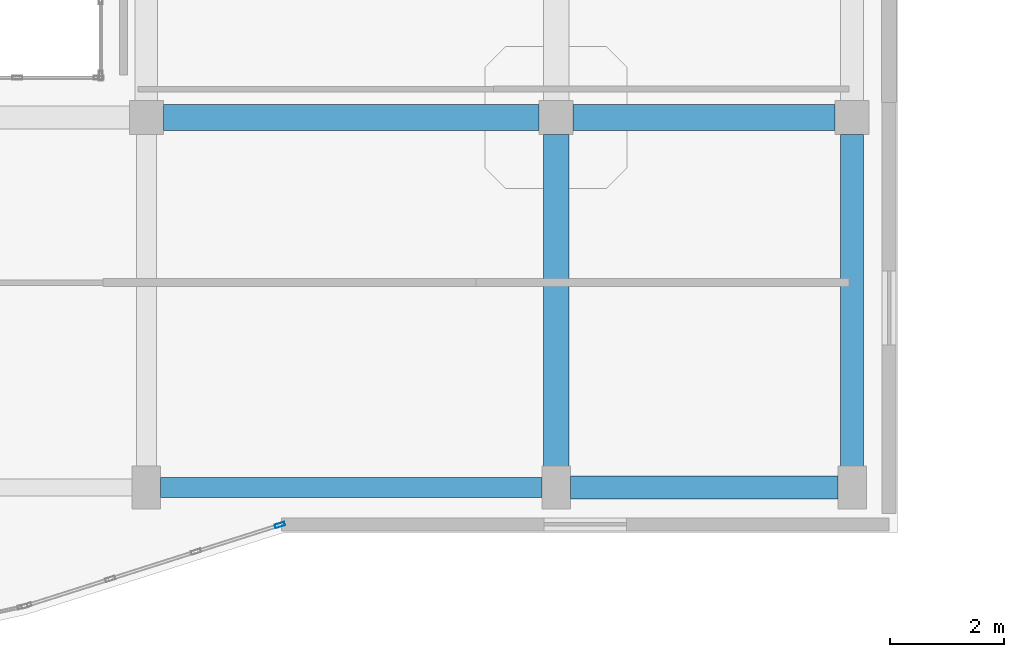
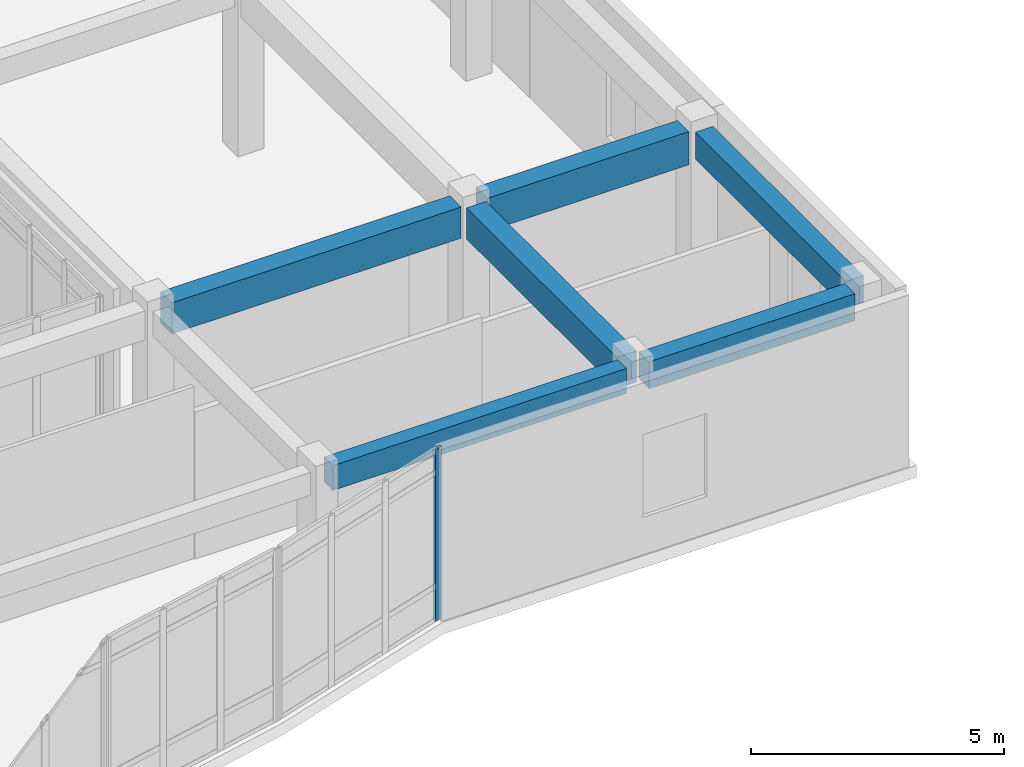
# One storey, part 102 of 142: 6 beams, 1 member, 1 element without a shape of its own.
"""IFC4 building model written with IfcOpenShell, lengths in metres."""

from ifc_helpers import new_model, si_unit, direction, frame, origin, origin_2d, place, context, subcontext, project, spatial, rectangle, hollow_rectangle, extrude, material, layer, layer_set, material_profile, profile_set, type_object, element, aggregate, save


model = new_model("IFC4")

# Units and contexts
model_context = context("Model", 3, precision=1e-05, world=origin(), true_north=direction((0.0, 1.0)))
body_context = subcontext(model_context, "Body", "Model", "MODEL_VIEW")
ifc_project = project(units=[si_unit("LENGTHUNIT", "METRE"), si_unit("AREAUNIT", "SQUARE_METRE"), si_unit("VOLUMEUNIT", "CUBIC_METRE"), si_unit("PLANEANGLEUNIT", "RADIAN"), si_unit("MASSUNIT", "GRAM", prefix="KILO")], contexts=[model_context])

# Site, building, storey
site_placement = place(None, origin())
site = spatial("IfcSite", under=ifc_project, at=site_placement, CompositionType="ELEMENT")
building_placement = place(site_placement, origin())
building = spatial("IfcBuilding", under=site, at=building_placement, Name="Valcora Specialist Clinic", CompositionType="ELEMENT")
storey_placement = place(building_placement, frame((0.0, 0.0, 5.10009765625)))
storey = spatial("IfcBuildingStorey", under=building, at=storey_placement, Name="L01", CompositionType="ELEMENT", Elevation=5.10009765625)

# Beams
ifc_material_1 = material(Name="Concrete C40/50", Category="concrete")
ifc_material_profile_1 = material_profile(ifc_material_1, rectangle(XDim=0.35009765625, YDim=0.60009765625, at=origin_2d()), Name="RC-BM-350X600")
ifc_profile_set_1 = profile_set([ifc_material_profile_1], Name="Concrete C40/50")
beam_type_1 = type_object("IfcBeamType", Name="TY-BM-RC350X600", PredefinedType="BEAM", material=ifc_profile_set_1)
beam_1_placement = place(storey_placement, frame((126.25, 74.800048828125, 3.844970703125), z_axis=(1.0, 0.0, 0.0), x_axis=(0.0, 1.0, 0.0)))
element("IfcBeam", 1, at=beam_1_placement, inside=storey, type_object=beam_type_1, Name="Beam BM-L01-0620", PredefinedType="BEAM", context=body_context, shape_type="SweptSolid", body=[
    extrude(rectangle(XDim=0.35009765625, YDim=0.60009765625, at=origin_2d()), origin(), (0.0, 0.0, 1.0), 6.699951171875),
])
ifc_material_profile_2 = material_profile(ifc_material_1, rectangle(XDim=0.39990234375, YDim=0.64990234375, at=origin_2d()), Name="RC-BM-400X650")
ifc_profile_set_2 = profile_set([ifc_material_profile_2], Name="Concrete C40/50")
beam_type_2 = type_object("IfcBeamType", Name="TY-BM-RC400X650", PredefinedType="BEAM", material=ifc_profile_set_2)
beam_2_placement = place(storey_placement, frame((133.449951171875, 74.800048828125, 3.81982421875), z_axis=(1.0, 0.0, 0.0), x_axis=(0.0, 1.0, 0.0)))
element("IfcBeam", 2, at=beam_2_placement, inside=storey, type_object=beam_type_2, Name="Beam BM-L01-0621", PredefinedType="BEAM", context=body_context, shape_type="SweptSolid", body=[
    extrude(rectangle(XDim=0.39990234375, YDim=0.64990234375, at=origin_2d()), origin(), (0.0, 0.0, 1.0), 4.699951171875),
])
beam_3_placement = place(storey_placement, frame((138.39990234375, 75.050048828125, 3.81982421875), z_axis=(0.0, 1.0, 0.0), x_axis=(-1.0, 0.0, 0.0)))
element("IfcBeam", 3, at=beam_3_placement, inside=storey, type_object=beam_type_2, Name="Beam BM-L01-0691", PredefinedType="BEAM", context=body_context, shape_type="SweptSolid", body=[
    extrude(rectangle(XDim=0.39990234375, YDim=0.64990234375, at=origin_2d()), origin(), (0.0, 0.0, 1.0), 5.949951171875),
])
ifc_material_profile_3 = material_profile(ifc_material_1, rectangle(XDim=0.449951171875, YDim=0.75, at=origin_2d()), Name="RC-BM-450X750")
ifc_profile_set_3 = profile_set([ifc_material_profile_3], Name="Concrete C40/50")
beam_type_3 = type_object("IfcBeamType", Name="TY-BM-RC450X750", PredefinedType="BEAM", material=ifc_profile_set_3)
beam_4_placement = place(storey_placement, frame((126.300048828125, 81.300048828125, 3.77001953125), z_axis=(1.0, 0.0, 0.0), x_axis=(0.0, 1.0, 0.0)))
element("IfcBeam", 4, at=beam_4_placement, inside=storey, type_object=beam_type_3, Name="Beam BM-L01-0629", PredefinedType="BEAM", context=body_context, shape_type="SweptSolid", body=[
    extrude(rectangle(XDim=0.449951171875, YDim=0.75, at=origin_2d()), origin(), (0.0, 0.0, 1.0), 6.599853515625),
])
beam_5_placement = place(storey_placement, frame((133.199951171875, 75.050048828125, 3.77001953125), z_axis=(0.0, 1.0, 0.0), x_axis=(-1.0, 0.0, 0.0)))
element("IfcBeam", 5, at=beam_5_placement, inside=storey, type_object=beam_type_3, Name="Beam BM-L01-0687", PredefinedType="BEAM", context=body_context, shape_type="SweptSolid", body=[
    extrude(rectangle(XDim=0.449951171875, YDim=0.75, at=origin_2d()), origin(), (0.0, 0.0, 1.0), 5.949951171875),
])
ifc_material_profile_4 = material_profile(ifc_material_1, rectangle(XDim=0.449951171875, YDim=0.800048828125, at=origin_2d()), Name="RC-BM-450X800")
ifc_profile_set_4 = profile_set([ifc_material_profile_4], Name="Concrete C40/50")
beam_type_4 = type_object("IfcBeamType", Name="TY-BM-RC450X800", PredefinedType="BEAM", material=ifc_profile_set_4)
beam_6_placement = place(storey_placement, frame((133.5, 81.300048828125, 3.744873046875), z_axis=(1.0, 0.0, 0.0), x_axis=(0.0, 1.0, 0.0)))
element("IfcBeam", 6, at=beam_6_placement, inside=storey, type_object=beam_type_4, Name="Beam BM-L01-0630", PredefinedType="BEAM", context=body_context, shape_type="SweptSolid", body=[
    extrude(rectangle(XDim=0.449951171875, YDim=0.800048828125, at=origin_2d()), origin(), (0.0, 0.0, 1.0), 4.60009765625),
])

# Curtain wall, member
ifc_material_2 = material(Name="Anodized Bronze Aluminium 6063-T6", Category="aluminium")
ifc_layer = layer(ifc_material_2, 0.175048828125)
ifc_layer_set = layer_set([ifc_layer], Name="Anodized Bronze Aluminium 6063-T6")
curtain_wall_type = type_object("IfcCurtainWallType", Name="TY-CW-ARC44", PredefinedType="NOTDEFINED", material=ifc_layer_set)
curtain_wall_placement = place(storey_placement, origin())
curtain_wall = element("IfcCurtainWall", 7, at=curtain_wall_placement, inside=storey, type_object=curtain_wall_type, Name="Curtain wall CW-L01-053", PredefinedType="NOTDEFINED")
ifc_material_profile_5 = material_profile(ifc_material_2, hollow_rectangle(XDim=0.06494140625, YDim=0.175048828125, WallThickness=0.00390625, at=origin_2d()), Name="AL-MUL-65X175")
ifc_profile_set_5 = profile_set([ifc_material_profile_5], Name="Anodized Bronze Aluminium 6063-T6")
member_type = type_object("IfcMemberType", Name="TY-CWM-65X175", PredefinedType="MULLION", material=ifc_profile_set_5)
member_placement = place(storey_placement, frame((128.345703125, 74.14013671875, 0.0), z_axis=(0.0, 0.0, 1.0), x_axis=(0.303233270958, -0.952916356972, 0.0)))
member = element("IfcMember", 8, at=member_placement, type_object=member_type, Name="CW-ARC-44 mullion 1", PredefinedType="MULLION", context=body_context, shape_type="SweptSolid", body=[
    extrude(hollow_rectangle(XDim=0.06494140625, YDim=0.175048828125, WallThickness=0.00390625, at=origin_2d()), origin(), (0.0, 0.0, 1.0), 4.14501953125),
])
aggregate(curtain_wall, [member])

save(model, "model.ifc")
